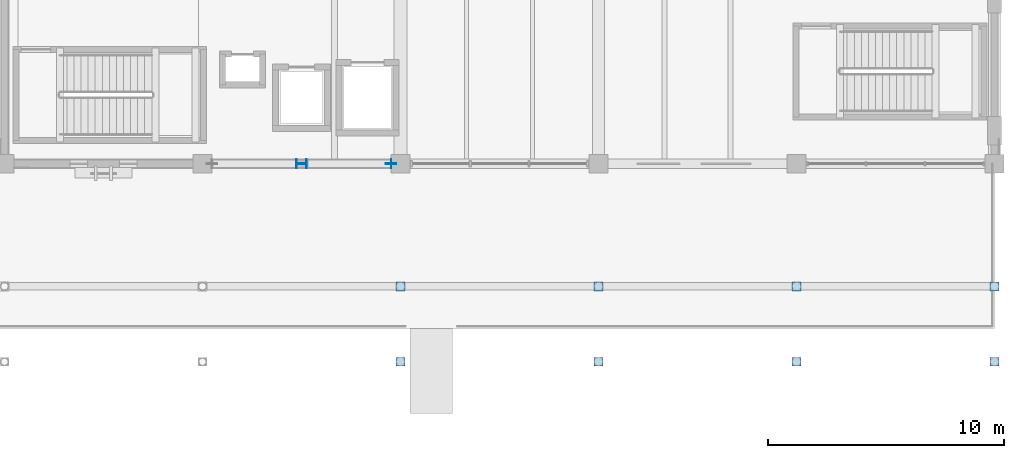
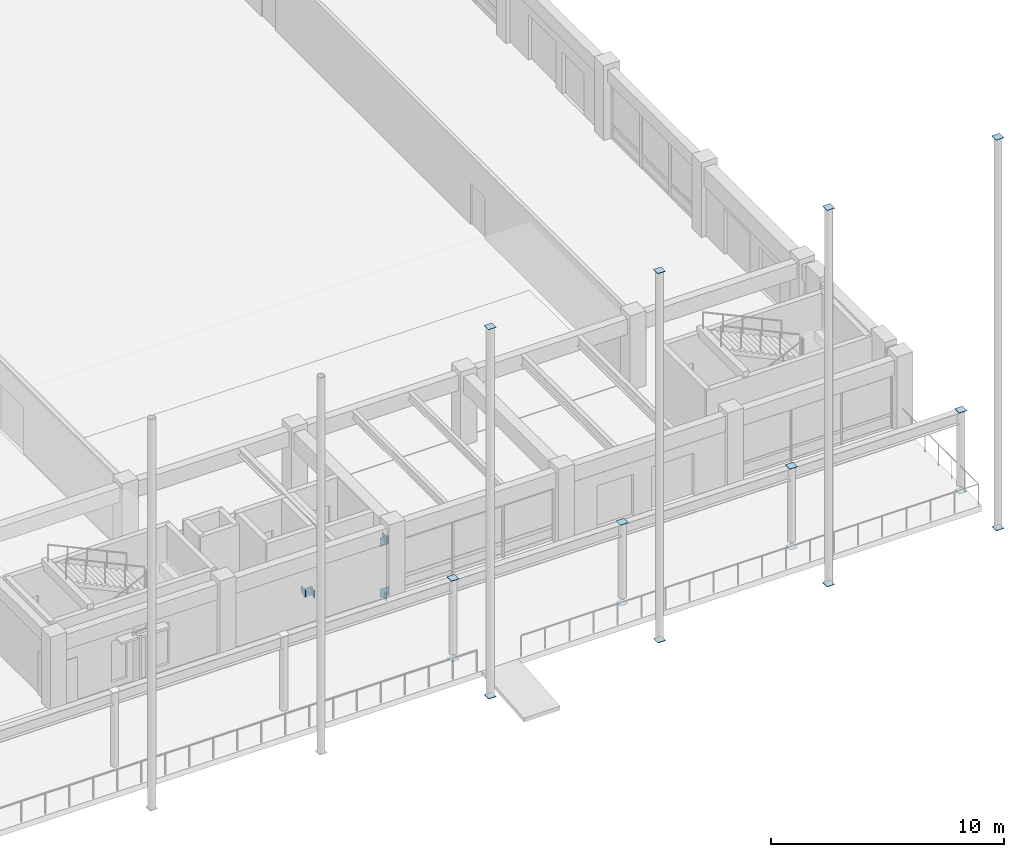
# One storey, part 82 of 135: 23 plates.
"""IFC4 building model written with IfcOpenShell, lengths in metres."""

from ifc_helpers import new_model, si_unit, direction, frame, origin, origin_2d, place, context, subcontext, project, spatial, rectangle, extrude, material, layer, layer_set, type_object, element, save


model = new_model("IFC4")

# Units and contexts
model_context = context("Model", 3, precision=1e-05, world=origin(), true_north=direction((0.0, 1.0)))
body_context = subcontext(model_context, "Body", "Model", "MODEL_VIEW")
ifc_project = project(units=[si_unit("LENGTHUNIT", "METRE"), si_unit("AREAUNIT", "SQUARE_METRE"), si_unit("VOLUMEUNIT", "CUBIC_METRE"), si_unit("PLANEANGLEUNIT", "RADIAN"), si_unit("MASSUNIT", "GRAM", prefix="KILO")], contexts=[model_context])

# Site, building, storey
site_placement = place(None, origin())
site = spatial("IfcSite", under=ifc_project, at=site_placement, CompositionType="ELEMENT")
building_placement = place(site_placement, origin())
building = spatial("IfcBuilding", under=site, at=building_placement, Name="Cumbredor Promenade Congress Hotel", CompositionType="ELEMENT")
storey_placement = place(building_placement, origin())
storey = spatial("IfcBuildingStorey", under=building, at=storey_placement, Name="L00", CompositionType="ELEMENT", Elevation=0.0)

# Plates
ifc_material = material(Name="Steel ASTM A572 Grade 50", Category="steel")
ifc_layer_1 = layer(ifc_material, 0.02001953125, Name="Steel ASTM A572 Grade 50", Category="steel")
ifc_layer_set_1 = layer_set([ifc_layer_1], Name="Steel ASTM A572 Grade 50")
plate_type_1 = type_object("IfcPlateType", Name="Hollow Section End Cap Plate CP-04", PredefinedType="USERDEFINED", material=ifc_layer_set_1)
for number, where, z_axis, x_axis, name in (
    (1, (159.60009765625, 3.199951171875, -0.318115234375), (0.0, 0.0, 1.0), (1.0, 0.0, 0.0), "Promenade Colonnade Column TC-027 Start Cap Plate"),
    (2, (159.60009765625, 3.199951171875, 3.91796875), (0.0, 0.0, 1.0), (1.0, 0.0, 0.0), "Promenade Colonnade Column TC-027 End Cap Plate"),
    (3, (168.0, 3.199951171875, -0.318115234375), (0.0, 0.0, 1.0), (1.0, 0.0, 0.0), "Promenade Colonnade Column TC-028 Start Cap Plate"),
    (4, (168.0, 3.199951171875, 3.91796875), (0.0, 0.0, 1.0), (1.0, 0.0, 0.0), "Promenade Colonnade Column TC-028 End Cap Plate"),
    (5, (176.39990234375, 3.199951171875, -0.318115234375), (0.0, 0.0, 1.0), (1.0, 0.0, 0.0), "Promenade Colonnade Column TC-029 Start Cap Plate"),
    (6, (176.39990234375, 3.199951171875, 3.91796875), (0.0, 0.0, 1.0), (1.0, 0.0, 0.0), "Promenade Colonnade Column TC-029 End Cap Plate"),
    (7, (184.800048828125, 3.199951171875, -0.318115234375), (0.0, 0.0, 1.0), (1.0, 0.0, 0.0), "Promenade Colonnade Column TC-030 Start Cap Plate"),
    (8, (184.800048828125, 3.199951171875, 3.91796875), (0.0, 0.0, 1.0), (1.0, 0.0, 0.0), "Promenade Colonnade Column TC-030 End Cap Plate"),
):
    element("IfcPlate", number, at=place(storey_placement, frame(where, z_axis=z_axis, x_axis=x_axis)), inside=storey, type_object=plate_type_1, Name=name, ObjectType="CAP PLATE", PredefinedType="USERDEFINED", context=body_context, shape_type="SweptSolid", body=[
        extrude(rectangle(XDim=0.3798828125, YDim=0.3798828125, at=origin_2d()), origin(), (0.0, 0.0, 1.0), 0.02001953125),
    ])
for number, where, z_axis, x_axis, name in (
    (9, (159.20751953125, 8.39990234375, 2.843017578125), (0.0, 0.0, 1.0), (1.0, 0.0, 0.0), "L00 X-Brace Continuous Diagonal 11A End Cap Plate"),
    (10, (159.20751953125, 8.39990234375, -0.19287109375), (0.0, 0.0, 1.0), (-1.0, 0.0, 0.0), "L00 X-Brace Lower Split Diagonal 11B1 Start Cap Plate"),
    (11, (155.615478515625, 8.39990234375, 1.239013671875), (0.0, 0.0, 1.0), (-1.0, 0.0, 0.0), "L00 X-Brace Lower Split Diagonal 11B1 End Cap Plate"),
    (12, (155.1845703125, 8.39990234375, 1.410888671875), (0.0, 0.0, 1.0), (-1.0, 0.0, 0.0), "L00 X-Brace Upper Split Diagonal 11B2 Start Cap Plate"),
):
    element("IfcPlate", number, at=place(storey_placement, frame(where, z_axis=z_axis, x_axis=x_axis)), inside=storey, type_object=plate_type_1, Name=name, ObjectType="CAP PLATE", PredefinedType="USERDEFINED", context=body_context, shape_type="SweptSolid", body=[
        extrude(rectangle(XDim=0.02001953125, YDim=0.3798828125, at=origin_2d()), origin(), (0.0, 0.0, 1.0), 0.3798828125),
    ])
for number, where, z_axis, x_axis, name in (
    (13, (159.60009765625, 0.0, -0.318115234375), (0.0, 0.0, 1.0), (1.0, 0.0, 0.0), "Grand Ballroom Pavilion Slim Overhang Pavilion Column 03 Start Cap Plate"),
    (14, (159.60009765625, 0.0, 19.05419921875), (0.0, 0.0, 1.0), (1.0, 0.0, 0.0), "Grand Ballroom Pavilion Slim Overhang Pavilion Column 03 End Cap Plate"),
    (15, (168.0, 0.0, -0.318115234375), (0.0, 0.0, 1.0), (1.0, 0.0, 0.0), "Grand Ballroom Pavilion Slim Overhang Pavilion Column 04 Start Cap Plate"),
    (16, (168.0, 0.0, 19.05419921875), (0.0, 0.0, 1.0), (1.0, 0.0, 0.0), "Grand Ballroom Pavilion Slim Overhang Pavilion Column 04 End Cap Plate"),
    (17, (176.39990234375, 0.0, -0.318115234375), (0.0, 0.0, 1.0), (1.0, 0.0, 0.0), "Grand Ballroom Pavilion Slim Overhang Pavilion Column 05 Start Cap Plate"),
    (18, (176.39990234375, 0.0, 19.429443359375), (0.0, 0.0, 1.0), (1.0, 0.0, 0.0), "Grand Ballroom Pavilion Slim Overhang Pavilion Column 05 End Cap Plate"),
    (19, (184.800048828125, 0.0, -0.318115234375), (0.0, 0.0, 1.0), (1.0, 0.0, 0.0), "Grand Ballroom Pavilion Slim Overhang Pavilion Column 06 Start Cap Plate"),
    (20, (184.800048828125, 0.0, 20.17919921875), (0.0, 0.0, 1.0), (1.0, 0.0, 0.0), "Grand Ballroom Pavilion Slim Overhang Pavilion Column 06 End Cap Plate"),
):
    element("IfcPlate", number, at=place(storey_placement, frame(where, z_axis=z_axis, x_axis=x_axis)), inside=storey, type_object=plate_type_1, Name=name, ObjectType="CAP PLATE", PredefinedType="USERDEFINED", context=body_context, shape_type="SweptSolid", body=[
        extrude(rectangle(XDim=0.3798828125, YDim=0.3798828125, at=origin_2d()), origin(), (0.0, 0.0, 1.0), 0.02001953125),
    ])
ifc_layer_2 = layer(ifc_material, 0.028076171875, Name="Steel ASTM A572 Grade 50", Category="steel")
ifc_layer_set_2 = layer_set([ifc_layer_2], Name="Steel ASTM A572 Grade 50")
plate_type_2 = type_object("IfcPlateType", Name="Space Frame Node Assembly ND-03", PredefinedType="USERDEFINED", material=ifc_layer_set_2)
for number, where, z_axis, x_axis, name in (
    (21, (159.199951171875, 8.39990234375, -0.0400390625), (0.0, 0.0, 1.0), (1.0, 0.0, 0.0), "L00 Seismic Frame Gusset Plate 11-BR"),
    (22, (159.199951171875, 8.39990234375, 2.630126953125), (0.0, 0.0, 1.0), (1.0, 0.0, 0.0), "L00 Seismic Frame Gusset Plate 11-TR"),
    (23, (155.39990234375, 8.39990234375, 1.294921875), (0.0, 0.0, 1.0), (1.0, 0.0, 0.0), "L00 X-Brace Central Crossing Gusset Plate 11"),
):
    element("IfcPlate", number, at=place(storey_placement, frame(where, z_axis=z_axis, x_axis=x_axis)), inside=storey, type_object=plate_type_2, Name=name, ObjectType="GUSSET PLATE", PredefinedType="USERDEFINED", context=body_context, shape_type="SweptSolid", body=[
        extrude(rectangle(XDim=0.43994140625, YDim=0.028076171875, at=origin_2d()), origin(), (0.0, 0.0, 1.0), 0.43994140625),
    ])

save(model, "model.ifc")
